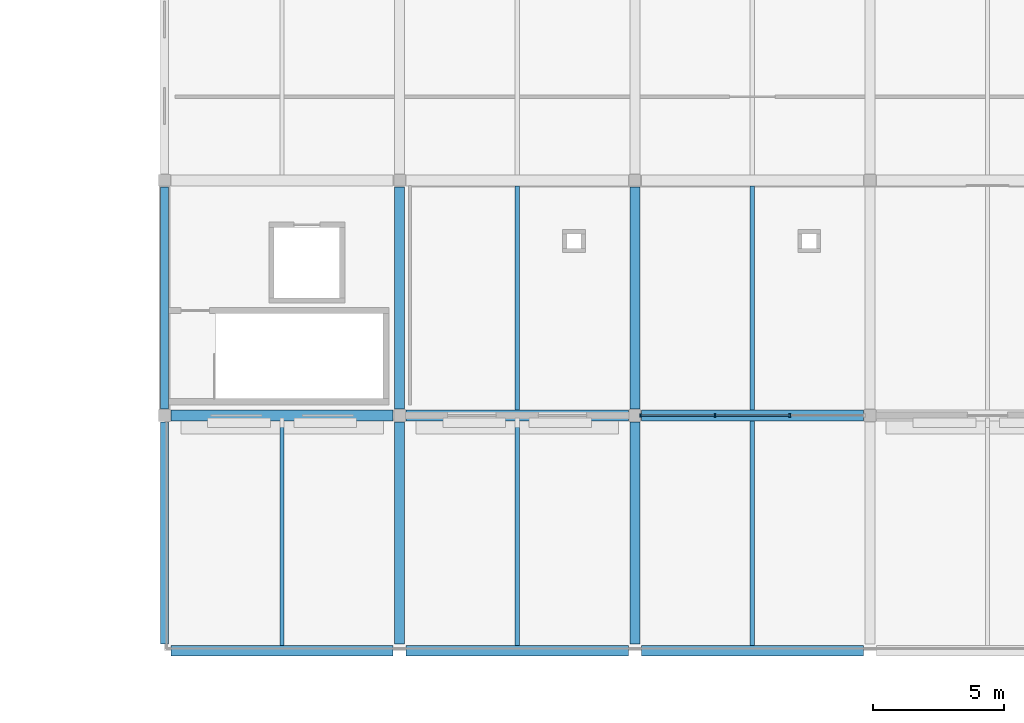
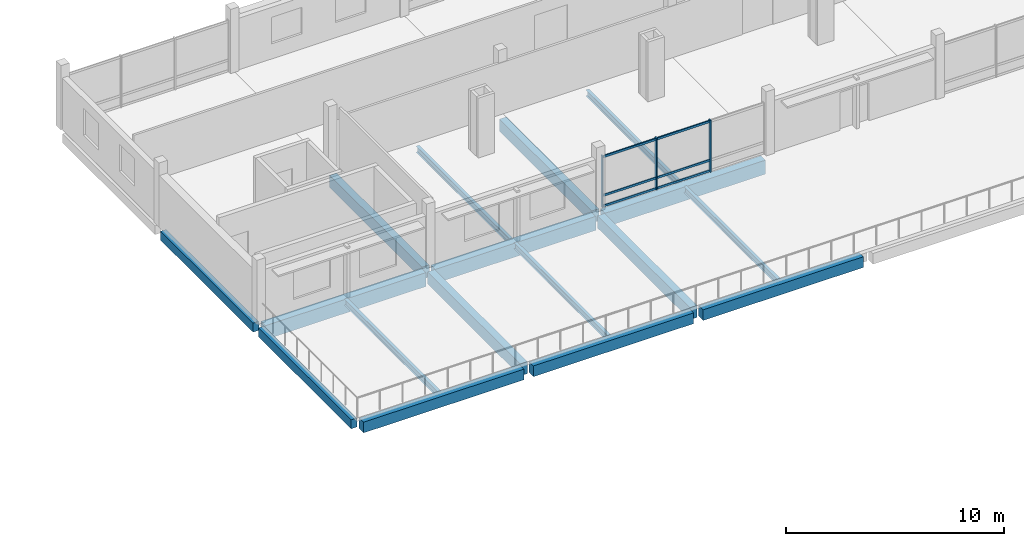
# One storey, part 71 of 163: 17 beams, 9 members, 1 element without a shape of its own.
"""IFC4 building model written with IfcOpenShell, lengths in metres."""

from ifc_helpers import new_model, si_unit, direction, frame, origin, origin_2d, place, context, subcontext, project, spatial, rectangle, i_section, extrude, material, material_profile, profile_set, type_object, element, aggregate, save


model = new_model("IFC4")

# Units and contexts
model_context = context("Model", 3, precision=1e-05, world=origin(), true_north=direction((0.0, 1.0)))
body_context = subcontext(model_context, "Body", "Model", "MODEL_VIEW")
ifc_project = project(units=[si_unit("LENGTHUNIT", "METRE"), si_unit("AREAUNIT", "SQUARE_METRE"), si_unit("VOLUMEUNIT", "CUBIC_METRE"), si_unit("PLANEANGLEUNIT", "RADIAN"), si_unit("MASSUNIT", "GRAM", prefix="KILO")], contexts=[model_context])

# Site, building, storey
site_placement = place(None, origin())
site = spatial("IfcSite", under=ifc_project, at=site_placement, CompositionType="ELEMENT")
building_placement = place(site_placement, origin())
building = spatial("IfcBuilding", under=site, at=building_placement, Name="Tharagai Park Tramway Depot", CompositionType="ELEMENT")
storey_placement = place(building_placement, frame((0.0, 0.0, 8.39990234375)))
storey = spatial("IfcBuildingStorey", under=building, at=storey_placement, Name="L02", CompositionType="ELEMENT", Elevation=8.39990234375)

# Beams
ifc_material_1 = material(Name="Concrete M35", Category="concrete")
ifc_material_profile_1 = material_profile(ifc_material_1, rectangle(XDim=0.3798828125, YDim=0.679931640625, at=origin_2d()), Name="RC 380x680")
ifc_profile_set_1 = profile_set([ifc_material_profile_1], Name="Concrete M35")
beam_type_1 = type_object("IfcBeamType", Name="BM-12", PredefinedType="BEAM", material=ifc_profile_set_1)
for number, where, z_axis, x_axis, name in (
    (1, (144.0, 0.25, -0.52978515625), (0.0, 1.0, 0.0), (-1.0, 0.0, 0.0), "L02 Grid Beam BM-12"),
    (2, (144.0, 9.25, -0.56982421875), (0.0, 1.0, 0.0), (-1.0, 0.0, 0.0), "L02 Grid Beam BM-12"),
    (3, (153.0, 0.25, -0.52978515625), (0.0, 1.0, 0.0), (-1.0, 0.0, 0.0), "L02 Grid Beam BM-12"),
    (4, (153.0, 9.25, -0.56982421875), (0.0, 1.0, 0.0), (-1.0, 0.0, 0.0), "L02 Grid Beam BM-12"),
):
    element("IfcBeam", number, at=place(storey_placement, frame(where, z_axis=z_axis, x_axis=x_axis)), inside=storey, type_object=beam_type_1, Name=name, PredefinedType="BEAM", context=body_context, shape_type="SweptSolid", body=[
        extrude(rectangle(XDim=0.3798828125, YDim=0.679931640625, at=origin_2d()), origin(), (0.0, 0.0, 1.0), 8.5),
    ])
ifc_material_profile_2 = material_profile(ifc_material_1, rectangle(XDim=0.419921875, YDim=0.780029296875, at=origin_2d()), Name="RC 420x780")
ifc_profile_set_2 = profile_set([ifc_material_profile_2], Name="Concrete M35")
beam_type_2 = type_object("IfcBeamType", Name="BM-16", PredefinedType="BEAM", material=ifc_profile_set_2)
for number, where, z_axis, x_axis, name in (
    (5, (135.25, 9.0, -0.619873046875), (1.0, 0.0, 0.0), (0.0, 1.0, 0.0), "L02 Grid Beam BM-16"),
    (6, (144.25, 9.0, -0.619873046875), (1.0, 0.0, 0.0), (0.0, 1.0, 0.0), "L02 Grid Beam BM-16"),
    (7, (153.25, 9.0, -0.619873046875), (1.0, 0.0, 0.0), (0.0, 1.0, 0.0), "L02 Grid Beam BM-16"),
):
    element("IfcBeam", number, at=place(storey_placement, frame(where, z_axis=z_axis, x_axis=x_axis)), inside=storey, type_object=beam_type_2, Name=name, PredefinedType="BEAM", context=body_context, shape_type="SweptSolid", body=[
        extrude(rectangle(XDim=0.419921875, YDim=0.780029296875, at=origin_2d()), origin(), (0.0, 0.0, 1.0), 8.5),
    ])

# Curtain wall, members
ifc_material_2 = material(Name="Anodised aluminium", Category="aluminium")
curtain_wall_type = type_object("IfcCurtainWallType", Name="CW-02", PredefinedType="NOTDEFINED", material=ifc_material_2)
curtain_wall_placement = place(storey_placement, origin())
curtain_wall = element("IfcCurtainWall", 8, at=curtain_wall_placement, inside=storey, type_object=curtain_wall_type, Name="L02 V5 Gothic Mullioned Curtain Wall CW-02", PredefinedType="NOTDEFINED")
ifc_material_profile_3 = material_profile(ifc_material_2, rectangle(XDim=0.06494140625, YDim=0.1201171875, at=origin_2d()), Name="ALU 65x120")
ifc_profile_set_3 = profile_set([ifc_material_profile_3], Name="Anodised aluminium")
member_type_1 = type_object("IfcMemberType", Name="CM-01", PredefinedType="USERDEFINED", material=ifc_profile_set_3)
member_1_placement = place(storey_placement, frame((153.22998046875, 9.0, 0.06005859375), z_axis=(1.0, 0.0, 0.0), x_axis=(0.0, 1.0, 0.0)))
member_1 = element("IfcMember", 9, at=member_1_placement, type_object=member_type_1, Name="L02 V5 Gothic Mullioned Curtain Wall Transom 1.1", ObjectType="TRANSOM", PredefinedType="USERDEFINED", context=body_context, shape_type="SweptSolid", body=[
    extrude(rectangle(XDim=0.06494140625, YDim=0.1201171875, at=origin_2d()), origin(), (0.0, 0.0, 1.0), 2.82666015625),
])
member_2_placement = place(storey_placement, frame((153.22998046875, 9.0, 0.650146484375), z_axis=(1.0, 0.0, 0.0), x_axis=(0.0, 1.0, 0.0)))
member_2 = element("IfcMember", 10, at=member_2_placement, type_object=member_type_1, Name="L02 V5 Gothic Mullioned Curtain Wall Transom 1.2", ObjectType="TRANSOM", PredefinedType="USERDEFINED", context=body_context, shape_type="SweptSolid", body=[
    extrude(rectangle(XDim=0.06494140625, YDim=0.1201171875, at=origin_2d()), origin(), (0.0, 0.0, 1.0), 2.82666015625),
])
member_3_placement = place(storey_placement, frame((153.22998046875, 9.0, 2.820068359375), z_axis=(1.0, 0.0, 0.0), x_axis=(0.0, 1.0, 0.0)))
member_3 = element("IfcMember", 11, at=member_3_placement, type_object=member_type_1, Name="L02 V5 Gothic Mullioned Curtain Wall Transom 1.3", ObjectType="TRANSOM", PredefinedType="USERDEFINED", context=body_context, shape_type="SweptSolid", body=[
    extrude(rectangle(XDim=0.06494140625, YDim=0.1201171875, at=origin_2d()), origin(), (0.0, 0.0, 1.0), 2.82666015625),
])
member_4_placement = place(storey_placement, frame((156.086669921875, 9.0, 0.06005859375), z_axis=(1.0, 0.0, 0.0), x_axis=(0.0, 1.0, 0.0)))
member_4 = element("IfcMember", 12, at=member_4_placement, type_object=member_type_1, Name="L02 V5 Gothic Mullioned Curtain Wall Transom 2.1", ObjectType="TRANSOM", PredefinedType="USERDEFINED", context=body_context, shape_type="SweptSolid", body=[
    extrude(rectangle(XDim=0.06494140625, YDim=0.1201171875, at=origin_2d()), origin(), (0.0, 0.0, 1.0), 2.82666015625),
])
member_5_placement = place(storey_placement, frame((156.086669921875, 9.0, 0.650146484375), z_axis=(1.0, 0.0, 0.0), x_axis=(0.0, 1.0, 0.0)))
member_5 = element("IfcMember", 13, at=member_5_placement, type_object=member_type_1, Name="L02 V5 Gothic Mullioned Curtain Wall Transom 2.2", ObjectType="TRANSOM", PredefinedType="USERDEFINED", context=body_context, shape_type="SweptSolid", body=[
    extrude(rectangle(XDim=0.06494140625, YDim=0.1201171875, at=origin_2d()), origin(), (0.0, 0.0, 1.0), 2.82666015625),
])
member_6_placement = place(storey_placement, frame((156.086669921875, 9.0, 2.820068359375), z_axis=(1.0, 0.0, 0.0), x_axis=(0.0, 1.0, 0.0)))
member_6 = element("IfcMember", 14, at=member_6_placement, type_object=member_type_1, Name="L02 V5 Gothic Mullioned Curtain Wall Transom 2.3", ObjectType="TRANSOM", PredefinedType="USERDEFINED", context=body_context, shape_type="SweptSolid", body=[
    extrude(rectangle(XDim=0.06494140625, YDim=0.1201171875, at=origin_2d()), origin(), (0.0, 0.0, 1.0), 2.82666015625),
])
ifc_material_profile_4 = material_profile(ifc_material_2, rectangle(XDim=0.06494140625, YDim=0.14990234375, at=origin_2d()), Name="ALU 65x150")
ifc_profile_set_4 = profile_set([ifc_material_profile_4], Name="Anodised aluminium")
member_type_2 = type_object("IfcMemberType", Name="CM-03", PredefinedType="MULLION", material=ifc_profile_set_4)
member_7_placement = place(storey_placement, frame((153.215087890625, 9.0, -0.0048828125), z_axis=(0.0, 0.0, 1.0), x_axis=(1.0, 0.0, 0.0)))
member_7 = element("IfcMember", 15, at=member_7_placement, type_object=member_type_2, Name="L02 V5 Gothic Mullioned Curtain Wall Mullion 1", PredefinedType="MULLION", context=body_context, shape_type="SweptSolid", body=[
    extrude(rectangle(XDim=0.06494140625, YDim=0.14990234375, at=origin_2d()), origin(), (0.0, 0.0, 1.0), 2.909912109375),
])
member_8_placement = place(storey_placement, frame((156.07177734375, 9.0, -0.0048828125), z_axis=(0.0, 0.0, 1.0), x_axis=(1.0, 0.0, 0.0)))
member_8 = element("IfcMember", 16, at=member_8_placement, type_object=member_type_2, Name="L02 V5 Gothic Mullioned Curtain Wall Mullion 2", PredefinedType="MULLION", context=body_context, shape_type="SweptSolid", body=[
    extrude(rectangle(XDim=0.06494140625, YDim=0.14990234375, at=origin_2d()), origin(), (0.0, 0.0, 1.0), 2.909912109375),
])
member_9_placement = place(storey_placement, frame((158.92822265625, 9.0, -0.0048828125), z_axis=(0.0, 0.0, 1.0), x_axis=(1.0, 0.0, 0.0)))
member_9 = element("IfcMember", 17, at=member_9_placement, type_object=member_type_2, Name="L02 V5 Gothic Mullioned Curtain Wall Mullion 3", PredefinedType="MULLION", context=body_context, shape_type="SweptSolid", body=[
    extrude(rectangle(XDim=0.06494140625, YDim=0.14990234375, at=origin_2d()), origin(), (0.0, 0.0, 1.0), 2.909912109375),
])
aggregate(curtain_wall, [member_7, member_8, member_9, member_1, member_2, member_3, member_4, member_5, member_6])

# Beams
ifc_material_3 = material(Name="Steel E350", Category="steel")
ifc_material_profile_5 = material_profile(ifc_material_3, i_section(OverallWidth=0.1650390625, OverallDepth=0.35009765625, WebThickness=0.00732421875, FlangeThickness=0.011474609375, FilletRadius=0.013916015625, at=origin_2d()), Name="ISLB 350")
ifc_profile_set_5 = profile_set([ifc_material_profile_5], Name="Steel E350")
beam_type_3 = type_object("IfcBeamType", Name="JT-05", PredefinedType="JOIST", material=ifc_profile_set_5)
for number, where, z_axis, x_axis, name in (
    (18, (139.5, 0.199951171875, -0.364990234375), (0.0, 1.0, 0.0), (-1.0, 0.0, 0.0), "L02 Secondary Joist JT-05"),
    (19, (148.5, 0.199951171875, -0.364990234375), (0.0, 1.0, 0.0), (-1.0, 0.0, 0.0), "L02 Secondary Joist JT-05"),
):
    element("IfcBeam", number, at=place(storey_placement, frame(where, z_axis=z_axis, x_axis=x_axis)), inside=storey, type_object=beam_type_3, Name=name, PredefinedType="JOIST", context=body_context, shape_type="SweptSolid", body=[
        extrude(i_section(OverallWidth=0.1650390625, OverallDepth=0.35009765625, WebThickness=0.00732421875, FlangeThickness=0.011474609375, FilletRadius=0.013916015625, at=origin_2d()), origin(), (0.0, 0.0, 1.0), 8.590087890625),
    ])
beam_1_placement = place(storey_placement, frame((148.5, 9.2099609375, -0.40478515625), z_axis=(0.0, 1.0, 0.0), x_axis=(-1.0, 0.0, 0.0)))
element("IfcBeam", 20, at=beam_1_placement, inside=storey, type_object=beam_type_3, Name="L02 Secondary Joist JT-05", PredefinedType="JOIST", context=body_context, shape_type="SweptSolid", body=[
    extrude(i_section(OverallWidth=0.1650390625, OverallDepth=0.35009765625, WebThickness=0.00732421875, FlangeThickness=0.011474609375, FilletRadius=0.013916015625, at=origin_2d()), origin(), (0.0, 0.0, 1.0), 8.580078125),
])
beam_2_placement = place(storey_placement, frame((157.5, 0.199951171875, -0.364990234375), z_axis=(0.0, 1.0, 0.0), x_axis=(-1.0, 0.0, 0.0)))
element("IfcBeam", 21, at=beam_2_placement, inside=storey, type_object=beam_type_3, Name="L02 Secondary Joist JT-05", PredefinedType="JOIST", context=body_context, shape_type="SweptSolid", body=[
    extrude(i_section(OverallWidth=0.1650390625, OverallDepth=0.35009765625, WebThickness=0.00732421875, FlangeThickness=0.011474609375, FilletRadius=0.013916015625, at=origin_2d()), origin(), (0.0, 0.0, 1.0), 8.590087890625),
])
beam_3_placement = place(storey_placement, frame((157.5, 9.2099609375, -0.40478515625), z_axis=(0.0, 1.0, 0.0), x_axis=(-1.0, 0.0, 0.0)))
element("IfcBeam", 22, at=beam_3_placement, inside=storey, type_object=beam_type_3, Name="L02 Secondary Joist JT-05", PredefinedType="JOIST", context=body_context, shape_type="SweptSolid", body=[
    extrude(i_section(OverallWidth=0.1650390625, OverallDepth=0.35009765625, WebThickness=0.00732421875, FlangeThickness=0.011474609375, FilletRadius=0.013916015625, at=origin_2d()), origin(), (0.0, 0.0, 1.0), 8.580078125),
])
ifc_material_profile_6 = material_profile(ifc_material_1, rectangle(XDim=0.39990234375, YDim=0.60009765625, at=origin_2d()), Name="RC 400x600")
ifc_profile_set_6 = profile_set([ifc_material_profile_6], Name="Concrete M35")
beam_type_4 = type_object("IfcBeamType", Name="SP-02", PredefinedType="SPANDREL", material=ifc_profile_set_6)
for number, where, z_axis, x_axis, name in (
    (23, (135.25, 0.0, -0.489990234375), (1.0, 0.0, 0.0), (0.0, 1.0, 0.0), "L02 Grid Beam SP-02"),
    (24, (144.25, 0.0, -0.489990234375), (1.0, 0.0, 0.0), (0.0, 1.0, 0.0), "L02 Grid Beam SP-02"),
    (25, (153.25, 0.0, -0.489990234375), (1.0, 0.0, 0.0), (0.0, 1.0, 0.0), "L02 Grid Beam SP-02"),
):
    element("IfcBeam", number, at=place(storey_placement, frame(where, z_axis=z_axis, x_axis=x_axis)), inside=storey, type_object=beam_type_4, Name=name, PredefinedType="SPANDREL", context=body_context, shape_type="SweptSolid", body=[
        extrude(rectangle(XDim=0.39990234375, YDim=0.60009765625, at=origin_2d()), origin(), (0.0, 0.0, 1.0), 8.5),
    ])
ifc_material_profile_7 = material_profile(ifc_material_1, rectangle(XDim=0.300048828125, YDim=0.5, at=origin_2d()), Name="RC 300x500")
ifc_profile_set_7 = profile_set([ifc_material_profile_7], Name="Concrete M35")
beam_type_5 = type_object("IfcBeamType", Name="SP-03", PredefinedType="SPANDREL", material=ifc_profile_set_7)
for number, where, z_axis, x_axis, name in (
    (26, (135.0, 0.25, -0.43994140625), (0.0, 1.0, 0.0), (-1.0, 0.0, 0.0), "L02 Grid Beam SP-03"),
    (27, (135.0, 9.25, -0.47998046875), (0.0, 1.0, 0.0), (-1.0, 0.0, 0.0), "L02 Grid Beam SP-03"),
):
    element("IfcBeam", number, at=place(storey_placement, frame(where, z_axis=z_axis, x_axis=x_axis)), inside=storey, type_object=beam_type_5, Name=name, PredefinedType="SPANDREL", context=body_context, shape_type="SweptSolid", body=[
        extrude(rectangle(XDim=0.300048828125, YDim=0.5, at=origin_2d()), origin(), (0.0, 0.0, 1.0), 8.5),
    ])

save(model, "model.ifc")
